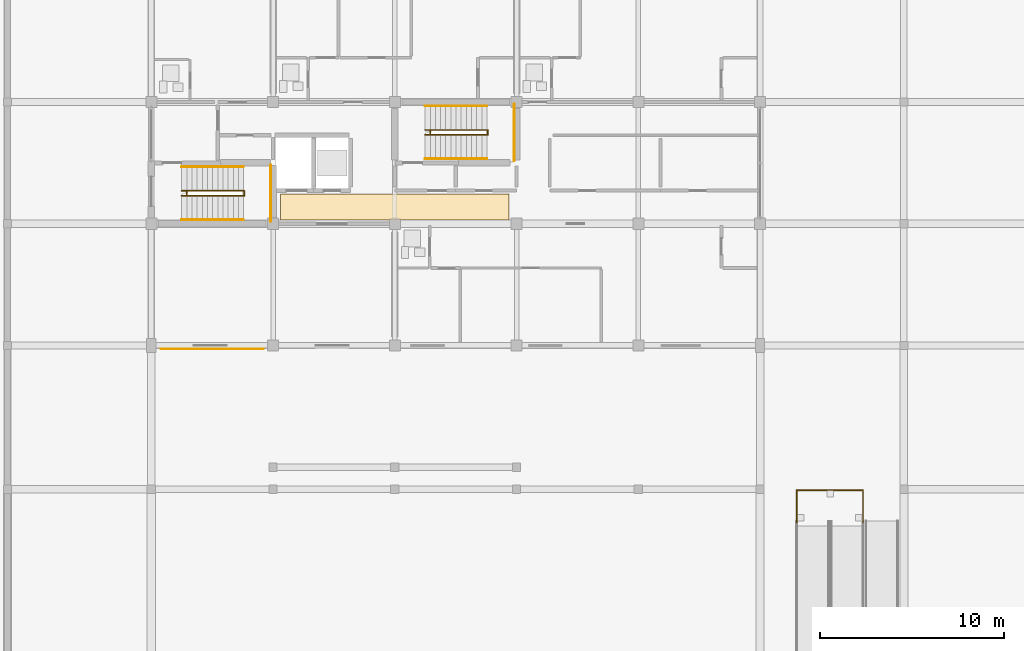
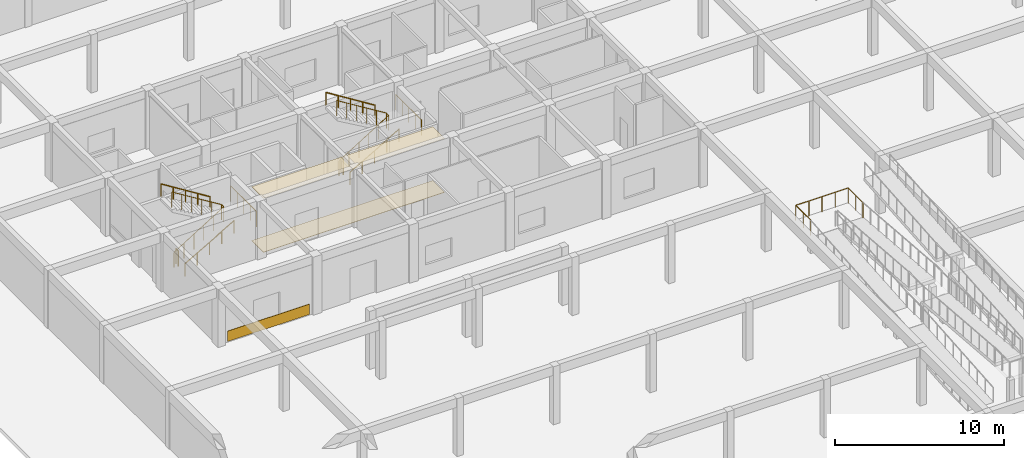
# One storey, part 69 of 75: 11 railings, 3 coverings.
"""IFC4 building model written with IfcOpenShell, lengths in metres."""

from ifc_helpers import new_model, si_unit, direction, frame, origin, origin_2d, place, context, subcontext, project, spatial, polyline, rectangle, circle, outline, extrude, material, layer, layer_set, type_object, element, save


model = new_model("IFC4")

# Units and contexts
model_context = context("Model", 3, precision=1e-05, world=origin(), true_north=direction((0.0, 1.0)))
body_context = subcontext(model_context, "Body", "Model", "MODEL_VIEW")
ifc_project = project(units=[si_unit("LENGTHUNIT", "METRE"), si_unit("AREAUNIT", "SQUARE_METRE"), si_unit("VOLUMEUNIT", "CUBIC_METRE"), si_unit("PLANEANGLEUNIT", "RADIAN"), si_unit("MASSUNIT", "GRAM", prefix="KILO")], contexts=[model_context])

# Site, building, storey
site_placement = place(None, origin())
site = spatial("IfcSite", under=ifc_project, at=site_placement, CompositionType="ELEMENT")
building_placement = place(site_placement, origin())
building = spatial("IfcBuilding", under=site, at=building_placement, Name="Kernevlak Ridge Housing Community", CompositionType="ELEMENT")
storey_placement = place(building_placement, origin())
storey = spatial("IfcBuildingStorey", under=building, at=storey_placement, Name="L00", CompositionType="ELEMENT", Elevation=0.0)

# Coverings
ifc_material_1 = material(Name="Acoustic perforated gypsum ceiling board")
ifc_layer_1 = layer(ifc_material_1, 0.02001953125, Name="Acoustic perforated gypsum ceiling board")
ifc_layer_set_1 = layer_set([ifc_layer_1], Name="Acoustic perforated gypsum ceiling board")
covering_type_1 = type_object("IfcCoveringType", Name="CV-01", PredefinedType="CEILING", material=ifc_layer_set_1)
covering_1_placement = place(storey_placement, frame((0.0, 0.0, 3.89990234375)))
element("IfcCovering", 1, at=covering_1_placement, inside=storey, type_object=covering_type_1, Name="Block A L00 lobby acoustic ceiling", PredefinedType="CEILING", context=body_context, shape_type="SweptSolid", body=[
    extrude(outline(polyline([(22.60009765625, 82.800048828125), (35.0, 82.800048828125), (35.0, 84.199951171875), (22.60009765625, 84.199951171875), (22.60009765625, 82.800048828125)])), origin(), (0.0, 0.0, 1.0), 0.02001953125),
])
ifc_material_2 = material(Name="Polished pale terrazzo tile flooring")
ifc_layer_2 = layer(ifc_material_2, 0.02490234375, Name="Polished pale terrazzo tile flooring")
ifc_layer_set_2 = layer_set([ifc_layer_2], Name="Polished pale terrazzo tile flooring")
covering_type_2 = type_object("IfcCoveringType", Name="CV-02", PredefinedType="FLOORING", material=ifc_layer_set_2)
covering_2_placement = place(storey_placement, origin())
element("IfcCovering", 2, at=covering_2_placement, inside=storey, type_object=covering_type_2, Name="Block A L00 lobby terrazzo flooring", PredefinedType="FLOORING", context=body_context, shape_type="SweptSolid", body=[
    extrude(outline(polyline([(22.60009765625, 82.800048828125), (35.0, 82.800048828125), (35.0, 84.199951171875), (22.60009765625, 84.199951171875), (22.60009765625, 82.800048828125)])), origin(), (0.0, 0.0, 1.0), 0.02490234375),
])
ifc_material_3 = material(Name="Aluminium EN AW-5005 enamelled cladding", Category="aluminium")
ifc_layer_3 = layer(ifc_material_3, 0.030029296875, Name="Aluminium EN AW-5005 enamelled cladding")
ifc_layer_set_3 = layer_set([ifc_layer_3], Name="Aluminium EN AW-5005 enamelled cladding")
covering_type_3 = type_object("IfcCoveringType", Name="CV-04", PredefinedType="CLADDING", material=ifc_layer_set_3)
covering_3_placement = place(storey_placement, frame((18.89990234375, 75.81494140625, 0.074951171875), z_axis=(0.0, 0.0, 1.0), x_axis=(1.0, 0.0, 0.0)))
element("IfcCovering", 3, at=covering_3_placement, inside=storey, type_object=covering_type_3, Name="Block A L00 De Stijl blue spandrel cladding", PredefinedType="CLADDING", context=body_context, shape_type="SweptSolid", body=[
    extrude(rectangle(XDim=5.60009765625, YDim=0.030029296875, at=origin_2d()), origin(), (0.0, 0.0, 1.0), 0.75),
])

# Railings
ifc_material_4 = material(Name="Steel S355", Category="steel")
railing_type_1 = type_object("IfcRailingType", Name="GR-02", PredefinedType="GUARDRAIL", material=ifc_material_4)
railing_1_placement = place(storey_placement, frame((17.52001953125, 84.110107421875, 0.0)))
element("IfcRailing", 4, at=railing_1_placement, inside=storey, type_object=railing_type_1, Name="Stair ST-A1 L00 well slot guard", PredefinedType="GUARDRAIL", context=body_context, shape_type="SweptSolid", body=[
    extrude(circle(Radius=0.02392578125, at=origin_2d()), frame((0.0, 0.0, 1.09619140625), z_axis=(0.0, 1.0, 0.0), x_axis=(-1.0, 0.0, 0.0)), (0.0, 0.0, 1.0), 0.27978515625),
    extrude(circle(Radius=0.02099609375, at=origin_2d()), origin(), (0.0, 0.0, 1.0), 1.072021484375),
    extrude(circle(Radius=0.02099609375, at=origin_2d()), frame((0.0, 0.27978515625, 0.0)), (0.0, 0.0, 1.0), 1.072021484375),
])
railing_2_placement = place(storey_placement, frame((17.239990234375, 84.1201171875, 0.0)))
element("IfcRailing", 5, at=railing_2_placement, inside=storey, type_object=railing_type_1, Name="Stair ST-A1 L00 inner well guardrail", PredefinedType="GUARDRAIL", context=body_context, shape_type="SweptSolid", body=[
    extrude(circle(Radius=0.02392578125, at=origin_2d()), frame((0.0, 0.0, 1.09619140625), z_axis=(0.850780323153, 0.0, 0.525521495028), x_axis=(0.0, 1.0, 0.0)), (0.0, 0.0, 1.0), 3.996337890625),
    extrude(circle(Radius=0.02392578125, at=origin_2d()), frame((3.39990234375, 0.0, 3.1962890625), z_axis=(0.0, 1.0, 0.0), x_axis=(-1.0, 0.0, 0.0)), (0.0, 0.0, 1.0), 0.259765625),
    extrude(circle(Radius=0.02392578125, at=origin_2d()), frame((3.39990234375, 0.259765625, 3.1962890625), z_axis=(-0.85080763774, 0.0, 0.525477272167), x_axis=(0.0, -1.0, 0.0)), (0.0, 0.0, 1.0), 3.99609375),
    extrude(circle(Radius=0.02099609375, at=origin_2d()), origin(), (0.0, 0.0, 1.0), 1.072021484375),
    extrude(circle(Radius=0.02099609375, at=origin_2d()), frame((0.679931640625, 0.0, 0.419921875)), (0.0, 0.0, 1.0), 1.072021484375),
    extrude(circle(Radius=0.02099609375, at=origin_2d()), frame((1.35986328125, 0.0, 0.840087890625)), (0.0, 0.0, 1.0), 1.072021484375),
    extrude(circle(Radius=0.02099609375, at=origin_2d()), frame((2.0400390625, 0.0, 1.260009765625)), (0.0, 0.0, 1.0), 1.072021484375),
    extrude(circle(Radius=0.02099609375, at=origin_2d()), frame((2.719970703125, 0.0, 1.68017578125)), (0.0, 0.0, 1.0), 1.072021484375),
    extrude(circle(Radius=0.02099609375, at=origin_2d()), frame((3.39990234375, 0.0, 2.10009765625)), (0.0, 0.0, 1.0), 1.072021484375),
    extrude(circle(Radius=0.02099609375, at=origin_2d()), frame((3.39990234375, 0.259765625, 2.10009765625)), (0.0, 0.0, 1.0), 1.072021484375),
    extrude(circle(Radius=0.02099609375, at=origin_2d()), frame((2.719970703125, 0.259765625, 2.52001953125)), (0.0, 0.0, 1.0), 1.072021484375),
    extrude(circle(Radius=0.02099609375, at=origin_2d()), frame((2.0400390625, 0.259765625, 2.93994140625)), (0.0, 0.0, 1.0), 1.072021484375),
    extrude(circle(Radius=0.02099609375, at=origin_2d()), frame((1.35986328125, 0.259765625, 3.360107421875)), (0.0, 0.0, 1.0), 1.072021484375),
    extrude(circle(Radius=0.02099609375, at=origin_2d()), frame((0.679931640625, 0.259765625, 3.780029296875)), (0.0, 0.0, 1.0), 1.072021484375),
    extrude(circle(Radius=0.02099609375, at=origin_2d()), frame((0.0, 0.259765625, 4.199951171875)), (0.0, 0.0, 1.0), 1.072021484375),
])
railing_3_placement = place(storey_placement, frame((22.080078125, 82.719970703125, 2.10009765625)))
element("IfcRailing", 6, at=railing_3_placement, inside=storey, type_object=railing_type_1, Name="Stair ST-A1 L00 half-landing guard", PredefinedType="GUARDRAIL", context=body_context, shape_type="SweptSolid", body=[
    extrude(circle(Radius=0.02392578125, at=origin_2d()), frame((0.0, 0.0, 1.09619140625), z_axis=(0.0, 1.0, 0.0), x_axis=(-1.0, 0.0, 0.0)), (0.0, 0.0, 1.0), 3.06005859375),
    extrude(circle(Radius=0.02099609375, at=origin_2d()), origin(), (0.0, 0.0, 1.0), 1.072021484375),
    extrude(circle(Radius=0.02099609375, at=origin_2d()), frame((0.0, 0.76513671875, 0.0)), (0.0, 0.0, 1.0), 1.072021484375),
    extrude(circle(Radius=0.02099609375, at=origin_2d()), frame((0.0, 1.530029296875, 0.0)), (0.0, 0.0, 1.0), 1.072021484375),
    extrude(circle(Radius=0.02099609375, at=origin_2d()), frame((0.0, 2.294921875, 0.0)), (0.0, 0.0, 1.0), 1.072021484375),
    extrude(circle(Radius=0.02099609375, at=origin_2d()), frame((0.0, 3.06005859375, 0.0)), (0.0, 0.0, 1.0), 1.072021484375),
])
railing_4_placement = place(storey_placement, frame((30.719970703125, 87.409912109375, 0.0)))
element("IfcRailing", 7, at=railing_4_placement, inside=storey, type_object=railing_type_1, Name="Stair ST-A2 L00 well slot guard", PredefinedType="GUARDRAIL", context=body_context, shape_type="SweptSolid", body=[
    extrude(circle(Radius=0.02392578125, at=origin_2d()), frame((0.0, 0.0, 1.09619140625), z_axis=(0.0, 1.0, 0.0), x_axis=(-1.0, 0.0, 0.0)), (0.0, 0.0, 1.0), 0.280029296875),
    extrude(circle(Radius=0.02099609375, at=origin_2d()), origin(), (0.0, 0.0, 1.0), 1.072021484375),
    extrude(circle(Radius=0.02099609375, at=origin_2d()), frame((0.0, 0.280029296875, 0.0)), (0.0, 0.0, 1.0), 1.072021484375),
])
railing_5_placement = place(storey_placement, frame((30.43994140625, 87.419921875, 0.0)))
element("IfcRailing", 8, at=railing_5_placement, inside=storey, type_object=railing_type_1, Name="Stair ST-A2 L00 inner well guardrail", PredefinedType="GUARDRAIL", context=body_context, shape_type="SweptSolid", body=[
    extrude(circle(Radius=0.02392578125, at=origin_2d()), frame((0.0, 0.0, 1.09619140625), z_axis=(0.850797194049, 0.0, 0.525494181317), x_axis=(0.0, 1.0, 0.0)), (0.0, 0.0, 1.0), 3.996337890625),
    extrude(circle(Radius=0.02392578125, at=origin_2d()), frame((3.400146484375, 0.0, 3.1962890625), z_axis=(0.0, 1.0, 0.0), x_axis=(-1.0, 0.0, 0.0)), (0.0, 0.0, 1.0), 0.260009765625),
    extrude(circle(Radius=0.02392578125, at=origin_2d()), frame((3.400146484375, 0.260009765625, 3.1962890625), z_axis=(-0.850824506338, 0.0, 0.525449959001), x_axis=(0.0, -1.0, 0.0)), (0.0, 0.0, 1.0), 3.996337890625),
    extrude(circle(Radius=0.02099609375, at=origin_2d()), origin(), (0.0, 0.0, 1.0), 1.072021484375),
    extrude(circle(Radius=0.02099609375, at=origin_2d()), frame((0.679931640625, 0.0, 0.419921875)), (0.0, 0.0, 1.0), 1.072021484375),
    extrude(circle(Radius=0.02099609375, at=origin_2d()), frame((1.360107421875, 0.0, 0.840087890625)), (0.0, 0.0, 1.0), 1.072021484375),
    extrude(circle(Radius=0.02099609375, at=origin_2d()), frame((2.0400390625, 0.0, 1.260009765625)), (0.0, 0.0, 1.0), 1.072021484375),
    extrude(circle(Radius=0.02099609375, at=origin_2d()), frame((2.72021484375, 0.0, 1.68017578125)), (0.0, 0.0, 1.0), 1.072021484375),
    extrude(circle(Radius=0.02099609375, at=origin_2d()), frame((3.400146484375, 0.0, 2.10009765625)), (0.0, 0.0, 1.0), 1.072021484375),
    extrude(circle(Radius=0.02099609375, at=origin_2d()), frame((3.400146484375, 0.260009765625, 2.10009765625)), (0.0, 0.0, 1.0), 1.072021484375),
    extrude(circle(Radius=0.02099609375, at=origin_2d()), frame((2.72021484375, 0.260009765625, 2.52001953125)), (0.0, 0.0, 1.0), 1.072021484375),
    extrude(circle(Radius=0.02099609375, at=origin_2d()), frame((2.0400390625, 0.260009765625, 2.93994140625)), (0.0, 0.0, 1.0), 1.072021484375),
    extrude(circle(Radius=0.02099609375, at=origin_2d()), frame((1.360107421875, 0.260009765625, 3.360107421875)), (0.0, 0.0, 1.0), 1.072021484375),
    extrude(circle(Radius=0.02099609375, at=origin_2d()), frame((0.679931640625, 0.260009765625, 3.780029296875)), (0.0, 0.0, 1.0), 1.072021484375),
    extrude(circle(Radius=0.02099609375, at=origin_2d()), frame((0.0, 0.260009765625, 4.199951171875)), (0.0, 0.0, 1.0), 1.072021484375),
])
railing_6_placement = place(storey_placement, frame((35.280029296875, 86.02001953125, 2.10009765625)))
element("IfcRailing", 9, at=railing_6_placement, inside=storey, type_object=railing_type_1, Name="Stair ST-A2 L00 half-landing guard", PredefinedType="GUARDRAIL", context=body_context, shape_type="SweptSolid", body=[
    extrude(circle(Radius=0.02392578125, at=origin_2d()), frame((0.0, 0.0, 1.09619140625), z_axis=(0.0, 1.0, 0.0), x_axis=(-1.0, 0.0, 0.0)), (0.0, 0.0, 1.0), 3.06005859375),
    extrude(circle(Radius=0.02099609375, at=origin_2d()), origin(), (0.0, 0.0, 1.0), 1.072021484375),
    extrude(circle(Radius=0.02099609375, at=origin_2d()), frame((0.0, 0.76513671875, 0.0)), (0.0, 0.0, 1.0), 1.072021484375),
    extrude(circle(Radius=0.02099609375, at=origin_2d()), frame((0.0, 1.530029296875, 0.0)), (0.0, 0.0, 1.0), 1.072021484375),
    extrude(circle(Radius=0.02099609375, at=origin_2d()), frame((0.0, 2.294921875, 0.0)), (0.0, 0.0, 1.0), 1.072021484375),
    extrude(circle(Radius=0.02099609375, at=origin_2d()), frame((0.0, 3.06005859375, 0.0)), (0.0, 0.0, 1.0), 1.072021484375),
])
railing_7_placement = place(storey_placement, frame((50.590087890625, 66.39990234375, 1.39990234375)))
element("IfcRailing", 10, at=railing_7_placement, inside=storey, type_object=railing_type_1, Name="Accessible ramp landing 2 guard 1", PredefinedType="GUARDRAIL", context=body_context, shape_type="SweptSolid", body=[
    extrude(circle(Radius=0.02392578125, at=origin_2d()), frame((0.0, 0.0, 1.09619140625), z_axis=(0.0, 1.0, 0.0), x_axis=(-1.0, 0.0, 0.0)), (0.0, 0.0, 1.0), 1.760009765625),
    extrude(circle(Radius=0.02392578125, at=origin_2d()), frame((0.0, 1.760009765625, 1.09619140625), z_axis=(1.0, 0.0, 0.0), x_axis=(0.0, 1.0, 0.0)), (0.0, 0.0, 1.0), 3.58984375),
    extrude(circle(Radius=0.02392578125, at=origin_2d()), frame((3.58984375, 1.760009765625, 1.09619140625), z_axis=(0.0, -1.0, 0.0), x_axis=(1.0, 0.0, 0.0)), (0.0, 0.0, 1.0), 1.760009765625),
    extrude(circle(Radius=0.02099609375, at=origin_2d()), origin(), (0.0, 0.0, 1.0), 1.072021484375),
    extrude(circle(Radius=0.02099609375, at=origin_2d()), frame((0.0, 0.8798828125, 0.0)), (0.0, 0.0, 1.0), 1.072021484375),
    extrude(circle(Radius=0.02099609375, at=origin_2d()), frame((0.0, 1.760009765625, 0.0)), (0.0, 0.0, 1.0), 1.072021484375),
    extrude(circle(Radius=0.02099609375, at=origin_2d()), frame((0.8974609375, 1.760009765625, 0.0)), (0.0, 0.0, 1.0), 1.072021484375),
    extrude(circle(Radius=0.02099609375, at=origin_2d()), frame((1.794921875, 1.760009765625, 0.0)), (0.0, 0.0, 1.0), 1.072021484375),
    extrude(circle(Radius=0.02099609375, at=origin_2d()), frame((2.6923828125, 1.760009765625, 0.0)), (0.0, 0.0, 1.0), 1.072021484375),
    extrude(circle(Radius=0.02099609375, at=origin_2d()), frame((3.58984375, 1.760009765625, 0.0)), (0.0, 0.0, 1.0), 1.072021484375),
    extrude(circle(Radius=0.02099609375, at=origin_2d()), frame((3.58984375, 0.8798828125, 0.0)), (0.0, 0.0, 1.0), 1.072021484375),
    extrude(circle(Radius=0.02099609375, at=origin_2d()), frame((3.58984375, 0.0, 0.0)), (0.0, 0.0, 1.0), 1.072021484375),
])
ifc_material_5 = material(Name="Stainless steel EN 1.4401", Category="steel")
railing_type_2 = type_object("IfcRailingType", Name="HR-01", PredefinedType="HANDRAIL", material=ifc_material_5)
railing_8_placement = place(storey_placement, frame((17.239990234375, 82.820068359375, 0.16162109375)))
element("IfcRailing", 11, at=railing_8_placement, inside=storey, type_object=railing_type_2, Name="Stair ST-A1 L00 flight 1 handrail", PredefinedType="HANDRAIL", context=body_context, shape_type="SweptSolid", body=[
    extrude(circle(Radius=0.02392578125, at=origin_2d()), frame((0.0, 0.0, 0.89599609375), z_axis=(0.866190824863, 0.0, 0.499713372768), x_axis=(0.0, 1.0, 0.0)), (0.0, 0.0, 1.0), 3.879150390625),
    extrude(circle(Radius=0.02099609375, at=origin_2d()), origin(), (0.0, 0.0, 1.0), 0.871826171875),
    extrude(circle(Radius=0.02099609375, at=origin_2d()), frame((0.840087890625, 0.0, 0.484619140625)), (0.0, 0.0, 1.0), 0.871826171875),
    extrude(circle(Radius=0.02099609375, at=origin_2d()), frame((1.68017578125, 0.0, 0.96923828125)), (0.0, 0.0, 1.0), 0.871826171875),
    extrude(circle(Radius=0.02099609375, at=origin_2d()), frame((2.52001953125, 0.0, 1.453857421875)), (0.0, 0.0, 1.0), 0.871826171875),
    extrude(circle(Radius=0.02099609375, at=origin_2d()), frame((3.360107421875, 0.0, 1.9384765625)), (0.0, 0.0, 1.0), 0.871826171875),
])
railing_9_placement = place(storey_placement, frame((20.60009765625, 85.679931640625, 2.10009765625)))
element("IfcRailing", 12, at=railing_9_placement, inside=storey, type_object=railing_type_2, Name="Stair ST-A1 L00 flight 2 handrail", PredefinedType="HANDRAIL", context=body_context, shape_type="SweptSolid", body=[
    extrude(circle(Radius=0.02392578125, at=origin_2d()), frame((0.0, 0.0, 0.89599609375), z_axis=(-0.848022534174, 0.0, 0.529960169762), x_axis=(0.0, -1.0, 0.0)), (0.0, 0.0, 1.0), 3.96240234375),
    extrude(circle(Radius=0.02099609375, at=origin_2d()), origin(), (0.0, 0.0, 1.0), 0.871826171875),
    extrude(circle(Radius=0.02099609375, at=origin_2d()), frame((-0.840087890625, 0.0, 0.52490234375)), (0.0, 0.0, 1.0), 0.871826171875),
    extrude(circle(Radius=0.02099609375, at=origin_2d()), frame((-1.68017578125, 0.0, 1.0498046875)), (0.0, 0.0, 1.0), 0.871826171875),
    extrude(circle(Radius=0.02099609375, at=origin_2d()), frame((-2.52001953125, 0.0, 1.574951171875)), (0.0, 0.0, 1.0), 0.871826171875),
    extrude(circle(Radius=0.02099609375, at=origin_2d()), frame((-3.360107421875, 0.0, 2.099853515625)), (0.0, 0.0, 1.0), 0.871826171875),
])
railing_10_placement = place(storey_placement, frame((30.43994140625, 86.1201171875, 0.16162109375)))
element("IfcRailing", 13, at=railing_10_placement, inside=storey, type_object=railing_type_2, Name="Stair ST-A2 L00 flight 1 handrail", PredefinedType="HANDRAIL", context=body_context, shape_type="SweptSolid", body=[
    extrude(circle(Radius=0.02392578125, at=origin_2d()), frame((0.0, 0.0, 0.89599609375), z_axis=(0.866190824863, 0.0, 0.499713372768), x_axis=(0.0, 1.0, 0.0)), (0.0, 0.0, 1.0), 3.879150390625),
    extrude(circle(Radius=0.02099609375, at=origin_2d()), origin(), (0.0, 0.0, 1.0), 0.871826171875),
    extrude(circle(Radius=0.02099609375, at=origin_2d()), frame((0.840087890625, 0.0, 0.484619140625)), (0.0, 0.0, 1.0), 0.871826171875),
    extrude(circle(Radius=0.02099609375, at=origin_2d()), frame((1.68017578125, 0.0, 0.96923828125)), (0.0, 0.0, 1.0), 0.871826171875),
    extrude(circle(Radius=0.02099609375, at=origin_2d()), frame((2.52001953125, 0.0, 1.453857421875)), (0.0, 0.0, 1.0), 0.871826171875),
    extrude(circle(Radius=0.02099609375, at=origin_2d()), frame((3.360107421875, 0.0, 1.9384765625)), (0.0, 0.0, 1.0), 0.871826171875),
])
railing_11_placement = place(storey_placement, frame((33.800048828125, 88.97998046875, 2.10009765625)))
element("IfcRailing", 14, at=railing_11_placement, inside=storey, type_object=railing_type_2, Name="Stair ST-A2 L00 flight 2 handrail", PredefinedType="HANDRAIL", context=body_context, shape_type="SweptSolid", body=[
    extrude(circle(Radius=0.02392578125, at=origin_2d()), frame((0.0, 0.0, 0.89599609375), z_axis=(-0.848022534174, 0.0, 0.529960169762), x_axis=(0.0, -1.0, 0.0)), (0.0, 0.0, 1.0), 3.96240234375),
    extrude(circle(Radius=0.02099609375, at=origin_2d()), origin(), (0.0, 0.0, 1.0), 0.871826171875),
    extrude(circle(Radius=0.02099609375, at=origin_2d()), frame((-0.840087890625, 0.0, 0.52490234375)), (0.0, 0.0, 1.0), 0.871826171875),
    extrude(circle(Radius=0.02099609375, at=origin_2d()), frame((-1.68017578125, 0.0, 1.0498046875)), (0.0, 0.0, 1.0), 0.871826171875),
    extrude(circle(Radius=0.02099609375, at=origin_2d()), frame((-2.52001953125, 0.0, 1.574951171875)), (0.0, 0.0, 1.0), 0.871826171875),
    extrude(circle(Radius=0.02099609375, at=origin_2d()), frame((-3.360107421875, 0.0, 2.099853515625)), (0.0, 0.0, 1.0), 0.871826171875),
])

save(model, "model.ifc")
